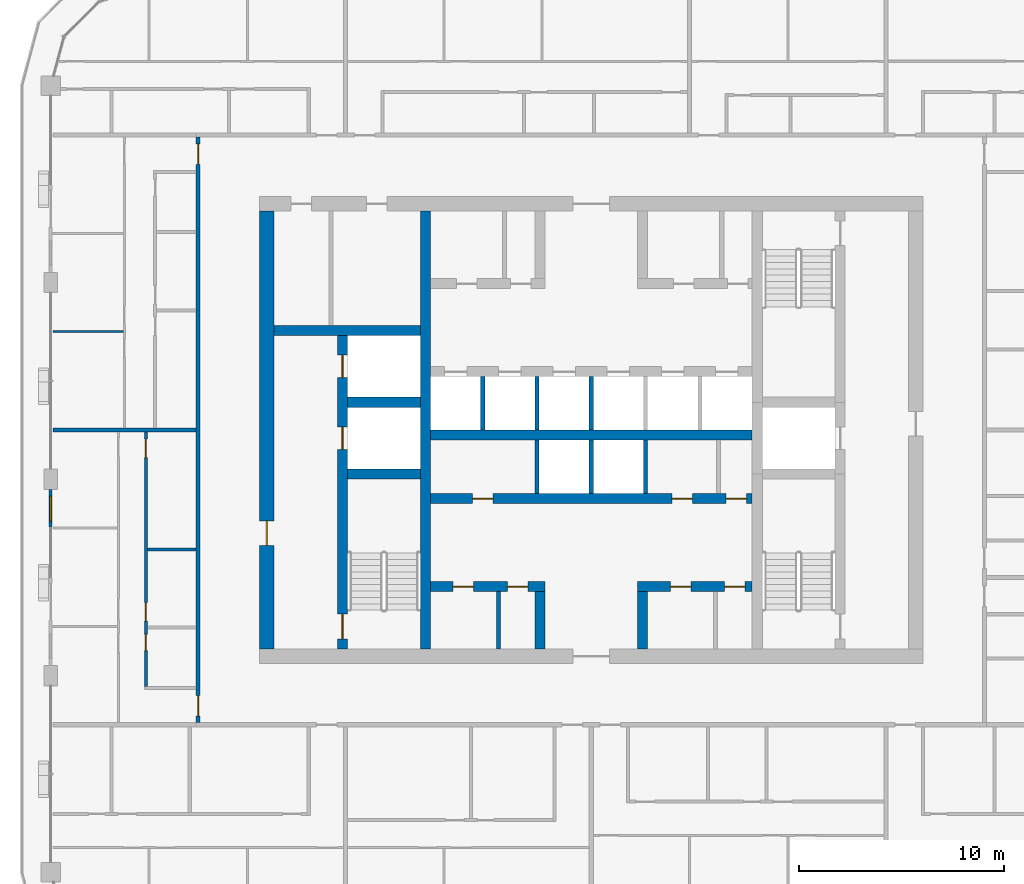
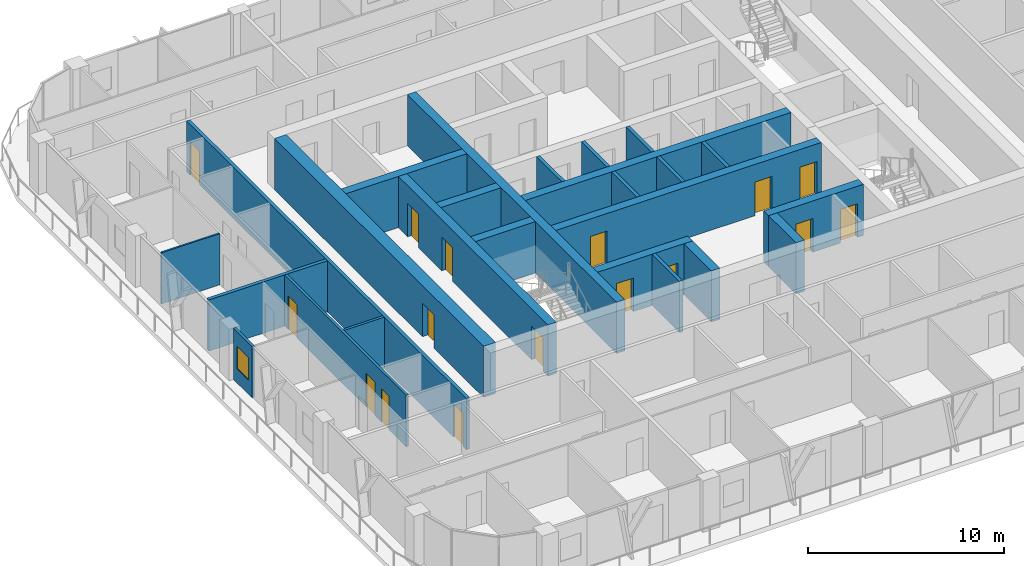
# One storey, part 10 of 22: 25 walls, 16 doors, 1 window, 17 openings.
"""IFC4 building model written with IfcOpenShell, lengths in metres."""

from ifc_helpers import new_model, si_unit, direction, frame, frame_2d, origin, place, context, subcontext, project, spatial, rectangle, extrude, material, layer, layer_set, type_object, element, fill, save


model = new_model("IFC4")

# Units and contexts
model_context = context("Model", 3, precision=1e-05, world=origin(), true_north=direction((0.0, 1.0)))
body_context = subcontext(model_context, "Body", "Model", "MODEL_VIEW")
ifc_project = project(units=[si_unit("LENGTHUNIT", "METRE"), si_unit("AREAUNIT", "SQUARE_METRE"), si_unit("VOLUMEUNIT", "CUBIC_METRE"), si_unit("PLANEANGLEUNIT", "RADIAN"), si_unit("MASSUNIT", "GRAM", prefix="KILO")], contexts=[model_context])

# Site, building, storey
site_placement = place(None, origin())
site = spatial("IfcSite", under=ifc_project, at=site_placement, CompositionType="ELEMENT")
building_placement = place(site_placement, origin())
building = spatial("IfcBuilding", under=site, at=building_placement, Name="Madar Terraces", CompositionType="ELEMENT")
storey_placement = place(building_placement, frame((0.0, 0.0, 192.89990234375)))
storey = spatial("IfcBuildingStorey", under=building, at=storey_placement, Name="L50", CompositionType="ELEMENT", Elevation=192.89990234375)

# Wall, openings, doors
ifc_material_1 = material(Name="Concrete C60/75", Category="concrete")
ifc_layer_1 = layer(ifc_material_1, 0.5)
ifc_layer_set_1 = layer_set([ifc_layer_1], Name="Concrete C60/75 (CIW4 RC wall 500)")
wall_type_1 = type_object("IfcWallType", Name="CIW4 RC wall 500", PredefinedType="SHEAR", material=ifc_layer_set_1)
wall_1_placement = place(storey_placement, frame((19.050048828125, 15.699951171875, 0.0), z_axis=(0.0, 0.0, 1.0), x_axis=(0.0, 1.0, 0.0)))
wall_1 = element("IfcWall", 1, at=wall_1_placement, inside=storey, type_object=wall_type_1, Name="CORE SHAFT WALL", PredefinedType="SHEAR", context=body_context, shape_type="SweptSolid", body=[
    extrude(rectangle(XDim=15.300048828125, YDim=0.5, at=frame_2d((7.64990234375, 0.0))), origin(), (0.0, 0.0, 1.0), 3.2001953125),
])
opening_1_placement = place(wall_1_placement, frame((9.75, 0.0, 0.0)))
opening_1 = element("IfcOpeningElement", 2, at=opening_1_placement, cuts=wall_1, Name="Opening LD", PredefinedType="OPENING", context=body_context, shape_type="SweptSolid", body=[
    extrude(rectangle(XDim=1.10009765625, YDim=2.10009765625, at=frame_2d((0.550048828125, 1.050048828125))), frame((0.0, 0.260009765625, 0.0), z_axis=(0.0, -1.0, 0.0), x_axis=(1.0, 0.0, 0.0)), (0.0, 0.0, 1.0), 0.52001953125),
])
opening_2_placement = place(wall_1_placement, frame((13.25, 0.0, 0.0)))
opening_2 = element("IfcOpeningElement", 3, at=opening_2_placement, cuts=wall_1, Name="Opening LD", PredefinedType="OPENING", context=body_context, shape_type="SweptSolid", body=[
    extrude(rectangle(XDim=1.10009765625, YDim=2.10009765625, at=frame_2d((0.550048828125, 1.050048828125))), frame((0.0, 0.260009765625, 0.0), z_axis=(0.0, -1.0, 0.0), x_axis=(1.0, 0.0, 0.0)), (0.0, 0.0, 1.0), 0.52001953125),
])
opening_3_placement = place(wall_1_placement, frame((0.5, 0.0, 0.0)))
opening_3 = element("IfcOpeningElement", 4, at=opening_3_placement, cuts=wall_1, Name="Opening SD1", PredefinedType="OPENING", context=body_context, shape_type="SweptSolid", body=[
    extrude(rectangle(XDim=1.199951171875, YDim=2.10009765625, at=frame_2d((0.60009765625, 1.050048828125))), frame((0.0, 0.260009765625, 0.0), z_axis=(0.0, -1.0, 0.0), x_axis=(1.0, 0.0, 0.0)), (0.0, 0.0, 1.0), 0.52001953125),
])
ifc_material_2 = material(Name="Stainless steel panel", Category="steel")
door_type_1 = type_object("IfcDoorType", Name="Lift landing door 1100 x 2100", OperationType="DOUBLE_DOOR_SLIDING", PredefinedType="DOOR", material=ifc_material_2)
door_1_placement = place(opening_1_placement, origin())
door_1 = element("IfcDoor", 5, at=door_1_placement, inside=storey, type_object=door_type_1, Name="LIFT LANDING DOOR", OperationType="DOUBLE_DOOR_SLIDING", OverallHeight=2.10009765625, OverallWidth=1.10009765625, PredefinedType="DOOR", context=body_context, shape_type="SweptSolid", body=[
    extrude(rectangle(XDim=1.10009765625, YDim=2.10009765625, at=frame_2d((0.550048828125, 1.050048828125))), frame((0.0, 0.02490234375, 0.0), z_axis=(0.0, -1.0, 0.0), x_axis=(1.0, 0.0, 0.0)), (0.0, 0.0, 1.0), 0.050048828125),
])
fill(opening_1, door_1)
door_2_placement = place(opening_2_placement, origin())
door_2 = element("IfcDoor", 6, at=door_2_placement, inside=storey, type_object=door_type_1, Name="LIFT LANDING DOOR", OperationType="DOUBLE_DOOR_SLIDING", OverallHeight=2.10009765625, OverallWidth=1.10009765625, PredefinedType="DOOR", context=body_context, shape_type="SweptSolid", body=[
    extrude(rectangle(XDim=1.10009765625, YDim=2.10009765625, at=frame_2d((0.550048828125, 1.050048828125))), frame((0.0, 0.02490234375, 0.0), z_axis=(0.0, -1.0, 0.0), x_axis=(1.0, 0.0, 0.0)), (0.0, 0.0, 1.0), 0.050048828125),
])
fill(opening_2, door_2)
ifc_material_3 = material(Name="Steel door leaf", Category="steel")
door_type_2 = type_object("IfcDoorType", Name="Stair door 1200 x 2100", OperationType="NOTDEFINED", PredefinedType="DOOR", material=ifc_material_3)
door_3_placement = place(opening_3_placement, frame((1.199951171875, 0.0, 0.0), z_axis=(0.0, 0.0, 1.0), x_axis=(-1.0, 0.0, 0.0)))
door_3 = element("IfcDoor", 7, at=door_3_placement, inside=storey, type_object=door_type_2, Name="STAIR DOOR", OperationType="SINGLE_SWING_RIGHT", OverallHeight=2.10009765625, OverallWidth=1.199951171875, PredefinedType="DOOR", context=body_context, shape_type="SweptSolid", body=[
    extrude(rectangle(XDim=1.199951171875, YDim=2.10009765625, at=frame_2d((0.60009765625, 1.050048828125))), frame((0.0, 0.02490234375, 0.0), z_axis=(0.0, -1.0, 0.0), x_axis=(1.0, 0.0, 0.0)), (0.0, 0.0, 1.0), 0.050048828125),
])
fill(opening_3, door_3)

# Walls
wall_2_placement = place(storey_placement, frame((23.10009765625, 15.699951171875, 0.0), z_axis=(0.0, 0.0, 1.0), x_axis=(0.0, 1.0, 0.0)))
element("IfcWall", 8, at=wall_2_placement, inside=storey, type_object=wall_type_1, Name="CORE SHAFT WALL", PredefinedType="SHEAR", context=body_context, shape_type="SweptSolid", body=[
    extrude(rectangle(XDim=21.400146484375, YDim=0.5, at=frame_2d((10.7001953125, 0.0))), origin(), (0.0, 0.0, 1.0), 3.2001953125),
])
for number, where, z_axis, x_axis, name in (
    (9, (19.300048828125, 24.25, 0.0), (0.0, 0.0, 1.0), (1.0, 0.0, 0.0), "CORE SHAFT WALL"),
    (10, (19.300048828125, 27.75, 0.0), (0.0, 0.0, 1.0), (1.0, 0.0, 0.0), "CORE SHAFT WALL"),
):
    element("IfcWall", number, at=place(storey_placement, frame(where, z_axis=z_axis, x_axis=x_axis)), inside=storey, type_object=wall_type_1, Name=name, PredefinedType="SHEAR", context=body_context, shape_type="SweptSolid", body=[
        extrude(rectangle(XDim=3.550048828125, YDim=0.5, at=frame_2d((1.77490234375, 0.0))), origin(), (0.0, 0.0, 1.0), 3.2001953125),
    ])
wall_3_placement = place(storey_placement, frame((15.699951171875, 31.25, 0.0), z_axis=(0.0, 0.0, 1.0), x_axis=(1.0, 0.0, 0.0)))
element("IfcWall", 11, at=wall_3_placement, inside=storey, type_object=wall_type_1, Name="CORE SHAFT WALL", PredefinedType="SHEAR", context=body_context, shape_type="SweptSolid", body=[
    extrude(rectangle(XDim=7.150146484375, YDim=0.5, at=frame_2d((3.5751953125, 0.0))), origin(), (0.0, 0.0, 1.0), 3.2001953125),
])

# Wall, openings, doors
wall_4_placement = place(storey_placement, frame((23.35009765625, 18.75, 0.0), z_axis=(0.0, 0.0, 1.0), x_axis=(1.0, 0.0, 0.0)))
wall_4 = element("IfcWall", 12, at=wall_4_placement, inside=storey, type_object=wall_type_1, Name="CORE SHAFT WALL", PredefinedType="SHEAR", context=body_context, shape_type="SweptSolid", body=[
    extrude(rectangle(XDim=5.599853515625, YDim=0.5, at=frame_2d((2.7998046875, 0.0))), origin(), (0.0, 0.0, 1.0), 3.2001953125),
])
opening_4_placement = place(wall_4_placement, frame((1.107421875, 0.0, 0.0)))
opening_4 = element("IfcOpeningElement", 13, at=opening_4_placement, cuts=wall_4, Name="Opening KD2", PredefinedType="OPENING", context=body_context, shape_type="SweptSolid", body=[
    extrude(rectangle(XDim=1.0, YDim=2.10009765625, at=frame_2d((0.5, 1.050048828125))), frame((0.0, 0.260009765625, 0.0), z_axis=(0.0, -1.0, 0.0), x_axis=(1.0, 0.0, 0.0)), (0.0, 0.0, 1.0), 0.52001953125),
])
opening_5_placement = place(wall_4_placement, frame((3.757568359375, 0.0, 0.0)))
opening_5 = element("IfcOpeningElement", 14, at=opening_5_placement, cuts=wall_4, Name="Opening KD2", PredefinedType="OPENING", context=body_context, shape_type="SweptSolid", body=[
    extrude(rectangle(XDim=1.0, YDim=2.10009765625, at=frame_2d((0.5, 1.050048828125))), frame((0.0, 0.260009765625, 0.0), z_axis=(0.0, -1.0, 0.0), x_axis=(1.0, 0.0, 0.0)), (0.0, 0.0, 1.0), 0.52001953125),
])
ifc_material_4 = material(Name="Steel door leaf", Category="steel")
door_type_3 = type_object("IfcDoorType", Name="Service room door 1000 x 2100", OperationType="NOTDEFINED", PredefinedType="DOOR", material=ifc_material_4)
door_4_placement = place(opening_4_placement, origin())
door_4 = element("IfcDoor", 15, at=door_4_placement, inside=storey, type_object=door_type_3, Name="SERVICE ROOM DOOR", OperationType="SINGLE_SWING_RIGHT", OverallHeight=2.10009765625, OverallWidth=1.0, PredefinedType="DOOR", context=body_context, shape_type="SweptSolid", body=[
    extrude(rectangle(XDim=1.0, YDim=2.10009765625, at=frame_2d((0.5, 1.050048828125))), frame((0.0, 0.02490234375, 0.0), z_axis=(0.0, -1.0, 0.0), x_axis=(1.0, 0.0, 0.0)), (0.0, 0.0, 1.0), 0.050048828125),
])
fill(opening_4, door_4)
door_5_placement = place(opening_5_placement, origin())
door_5 = element("IfcDoor", 16, at=door_5_placement, inside=storey, type_object=door_type_3, Name="SERVICE ROOM DOOR", OperationType="SINGLE_SWING_LEFT", OverallHeight=2.10009765625, OverallWidth=1.0, PredefinedType="DOOR", context=body_context, shape_type="SweptSolid", body=[
    extrude(rectangle(XDim=1.0, YDim=2.10009765625, at=frame_2d((0.5, 1.050048828125))), frame((0.0, 0.02490234375, 0.0), z_axis=(0.0, -1.0, 0.0), x_axis=(1.0, 0.0, 0.0)), (0.0, 0.0, 1.0), 0.050048828125),
])
fill(opening_5, door_5)

wall_5_placement = place(storey_placement, frame((33.449951171875, 18.75, 0.0), z_axis=(0.0, 0.0, 1.0), x_axis=(1.0, 0.0, 0.0)))
wall_5 = element("IfcWall", 17, at=wall_5_placement, inside=storey, type_object=wall_type_1, Name="CORE SHAFT WALL", PredefinedType="SHEAR", context=body_context, shape_type="SweptSolid", body=[
    extrude(rectangle(XDim=5.60009765625, YDim=0.5, at=frame_2d((2.800048828125, 0.0))), origin(), (0.0, 0.0, 1.0), 3.2001953125),
])
opening_6_placement = place(wall_5_placement, frame((1.607421875, 0.0, 0.0)))
opening_6 = element("IfcOpeningElement", 18, at=opening_6_placement, cuts=wall_5, Name="Opening KD2", PredefinedType="OPENING", context=body_context, shape_type="SweptSolid", body=[
    extrude(rectangle(XDim=1.0, YDim=2.10009765625, at=frame_2d((0.5, 1.050048828125))), frame((0.0, 0.260009765625, 0.0), z_axis=(0.0, -1.0, 0.0), x_axis=(1.0, 0.0, 0.0)), (0.0, 0.0, 1.0), 0.52001953125),
])
opening_7_placement = place(wall_5_placement, frame((4.257568359375, 0.0, 0.0)))
opening_7 = element("IfcOpeningElement", 19, at=opening_7_placement, cuts=wall_5, Name="Opening KD2", PredefinedType="OPENING", context=body_context, shape_type="SweptSolid", body=[
    extrude(rectangle(XDim=1.0, YDim=2.10009765625, at=frame_2d((0.5, 1.050048828125))), frame((0.0, 0.260009765625, 0.0), z_axis=(0.0, -1.0, 0.0), x_axis=(1.0, 0.0, 0.0)), (0.0, 0.0, 1.0), 0.52001953125),
])
door_6_placement = place(opening_6_placement, origin())
door_6 = element("IfcDoor", 20, at=door_6_placement, inside=storey, type_object=door_type_3, Name="SERVICE ROOM DOOR", OperationType="SINGLE_SWING_RIGHT", OverallHeight=2.10009765625, OverallWidth=1.0, PredefinedType="DOOR", context=body_context, shape_type="SweptSolid", body=[
    extrude(rectangle(XDim=1.0, YDim=2.10009765625, at=frame_2d((0.5, 1.050048828125))), frame((0.0, 0.02490234375, 0.0), z_axis=(0.0, -1.0, 0.0), x_axis=(1.0, 0.0, 0.0)), (0.0, 0.0, 1.0), 0.050048828125),
])
fill(opening_6, door_6)
door_7_placement = place(opening_7_placement, origin())
door_7 = element("IfcDoor", 21, at=door_7_placement, inside=storey, type_object=door_type_3, Name="SERVICE ROOM DOOR", OperationType="SINGLE_SWING_LEFT", OverallHeight=2.10009765625, OverallWidth=1.0, PredefinedType="DOOR", context=body_context, shape_type="SweptSolid", body=[
    extrude(rectangle(XDim=1.0, YDim=2.10009765625, at=frame_2d((0.5, 1.050048828125))), frame((0.0, 0.02490234375, 0.0), z_axis=(0.0, -1.0, 0.0), x_axis=(1.0, 0.0, 0.0)), (0.0, 0.0, 1.0), 0.050048828125),
])
fill(opening_7, door_7)

wall_6_placement = place(storey_placement, frame((23.35009765625, 23.050048828125, 0.0), z_axis=(0.0, 0.0, 1.0), x_axis=(1.0, 0.0, 0.0)))
wall_6 = element("IfcWall", 22, at=wall_6_placement, inside=storey, type_object=wall_type_1, Name="CORE SHAFT WALL", PredefinedType="SHEAR", context=body_context, shape_type="SweptSolid", body=[
    extrude(rectangle(XDim=15.699951171875, YDim=0.5, at=frame_2d((7.85009765625, 0.0))), origin(), (0.0, 0.0, 1.0), 3.2001953125),
])
opening_8_placement = place(wall_6_placement, frame((2.050048828125, 0.0, 0.0)))
opening_8 = element("IfcOpeningElement", 23, at=opening_8_placement, cuts=wall_6, Name="Opening KD2", PredefinedType="OPENING", context=body_context, shape_type="SweptSolid", body=[
    extrude(rectangle(XDim=1.0, YDim=2.10009765625, at=frame_2d((0.5, 1.050048828125))), frame((0.0, 0.260009765625, 0.0), z_axis=(0.0, -1.0, 0.0), x_axis=(1.0, 0.0, 0.0)), (0.0, 0.0, 1.0), 0.52001953125),
])
opening_9_placement = place(wall_6_placement, frame((11.783935546875, 0.0, 0.0)))
opening_9 = element("IfcOpeningElement", 24, at=opening_9_placement, cuts=wall_6, Name="Opening KD2", PredefinedType="OPENING", context=body_context, shape_type="SweptSolid", body=[
    extrude(rectangle(XDim=1.0, YDim=2.10009765625, at=frame_2d((0.5, 1.050048828125))), frame((0.0, 0.260009765625, 0.0), z_axis=(0.0, -1.0, 0.0), x_axis=(1.0, 0.0, 0.0)), (0.0, 0.0, 1.0), 0.52001953125),
])
opening_10_placement = place(wall_6_placement, frame((14.43408203125, 0.0, 0.0)))
opening_10 = element("IfcOpeningElement", 25, at=opening_10_placement, cuts=wall_6, Name="Opening KD2", PredefinedType="OPENING", context=body_context, shape_type="SweptSolid", body=[
    extrude(rectangle(XDim=1.0, YDim=2.10009765625, at=frame_2d((0.5, 1.050048828125))), frame((0.0, 0.260009765625, 0.0), z_axis=(0.0, -1.0, 0.0), x_axis=(1.0, 0.0, 0.0)), (0.0, 0.0, 1.0), 0.52001953125),
])
door_8_placement = place(opening_8_placement, frame((1.0, 0.0, 0.0), z_axis=(0.0, 0.0, 1.0), x_axis=(-1.0, 0.0, 0.0)))
door_8 = element("IfcDoor", 26, at=door_8_placement, inside=storey, type_object=door_type_3, Name="SERVICE ROOM DOOR", OperationType="SINGLE_SWING_LEFT", OverallHeight=2.10009765625, OverallWidth=1.0, PredefinedType="DOOR", context=body_context, shape_type="SweptSolid", body=[
    extrude(rectangle(XDim=1.0, YDim=2.10009765625, at=frame_2d((0.5, 1.050048828125))), frame((0.0, 0.02490234375, 0.0), z_axis=(0.0, -1.0, 0.0), x_axis=(1.0, 0.0, 0.0)), (0.0, 0.0, 1.0), 0.050048828125),
])
fill(opening_8, door_8)
door_9_placement = place(opening_9_placement, frame((1.0, 0.0, 0.0), z_axis=(0.0, 0.0, 1.0), x_axis=(-1.0, 0.0, 0.0)))
door_9 = element("IfcDoor", 27, at=door_9_placement, inside=storey, type_object=door_type_3, Name="SERVICE ROOM DOOR", OperationType="SINGLE_SWING_RIGHT", OverallHeight=2.10009765625, OverallWidth=1.0, PredefinedType="DOOR", context=body_context, shape_type="SweptSolid", body=[
    extrude(rectangle(XDim=1.0, YDim=2.10009765625, at=frame_2d((0.5, 1.050048828125))), frame((0.0, 0.02490234375, 0.0), z_axis=(0.0, -1.0, 0.0), x_axis=(1.0, 0.0, 0.0)), (0.0, 0.0, 1.0), 0.050048828125),
])
fill(opening_9, door_9)
door_10_placement = place(opening_10_placement, frame((1.0, 0.0, 0.0), z_axis=(0.0, 0.0, 1.0), x_axis=(-1.0, 0.0, 0.0)))
door_10 = element("IfcDoor", 28, at=door_10_placement, inside=storey, type_object=door_type_3, Name="SERVICE ROOM DOOR", OperationType="SINGLE_SWING_LEFT", OverallHeight=2.10009765625, OverallWidth=1.0, PredefinedType="DOOR", context=body_context, shape_type="SweptSolid", body=[
    extrude(rectangle(XDim=1.0, YDim=2.10009765625, at=frame_2d((0.5, 1.050048828125))), frame((0.0, 0.02490234375, 0.0), z_axis=(0.0, -1.0, 0.0), x_axis=(1.0, 0.0, 0.0)), (0.0, 0.0, 1.0), 0.050048828125),
])
fill(opening_10, door_10)

# Walls
wall_7_placement = place(storey_placement, frame((23.35009765625, 26.14990234375, 0.0), z_axis=(0.0, 0.0, 1.0), x_axis=(1.0, 0.0, 0.0)))
element("IfcWall", 29, at=wall_7_placement, inside=storey, type_object=wall_type_1, Name="CORE SHAFT WALL", PredefinedType="SHEAR", context=body_context, shape_type="SweptSolid", body=[
    extrude(rectangle(XDim=15.699951171875, YDim=0.5, at=frame_2d((7.85009765625, 0.0))), origin(), (0.0, 0.0, 1.0), 3.2001953125),
])
for number, where, z_axis, x_axis, name in (
    (30, (28.699951171875, 15.699951171875, 0.0), (0.0, 0.0, 1.0), (0.0, 1.0, 0.0), "CORE SHAFT WALL"),
    (31, (33.699951171875, 15.699951171875, 0.0), (0.0, 0.0, 1.0), (0.0, 1.0, 0.0), "CORE SHAFT WALL"),
):
    element("IfcWall", number, at=place(storey_placement, frame(where, z_axis=z_axis, x_axis=x_axis)), inside=storey, type_object=wall_type_1, Name=name, PredefinedType="SHEAR", context=body_context, shape_type="SweptSolid", body=[
        extrude(rectangle(XDim=2.800048828125, YDim=0.5, at=frame_2d((1.39990234375, 0.0))), origin(), (0.0, 0.0, 1.0), 3.2001953125),
    ])

# Wall, opening, door
ifc_material_5 = material(Name="Concrete C60/75", Category="concrete")
ifc_layer_2 = layer(ifc_material_5, 0.699951171875)
ifc_layer_set_2 = layer_set([ifc_layer_2], Name="Concrete C60/75 (CRW4 RC wall 700)")
wall_type_2 = type_object("IfcWallType", Name="CRW4 RC wall 700", PredefinedType="SHEAR", material=ifc_layer_set_2)
wall_8_placement = place(storey_placement, frame((15.35009765625, 15.699951171875, 0.0), z_axis=(0.0, 0.0, 1.0), x_axis=(0.0, 1.0, 0.0)))
wall_8 = element("IfcWall", 32, at=wall_8_placement, inside=storey, type_object=wall_type_2, Name="CORE OUTER WALL", PredefinedType="SHEAR", context=body_context, shape_type="SweptSolid", body=[
    extrude(rectangle(XDim=21.400146484375, YDim=0.699951171875, at=frame_2d((10.7001953125, 0.0))), origin(), (0.0, 0.0, 1.0), 3.2001953125),
])
opening_11_placement = place(wall_8_placement, frame((5.06005859375, 0.0, 0.0)))
opening_11 = element("IfcOpeningElement", 33, at=opening_11_placement, cuts=wall_8, Name="Opening SD1", PredefinedType="OPENING", context=body_context, shape_type="SweptSolid", body=[
    extrude(rectangle(XDim=1.199951171875, YDim=2.10009765625, at=frame_2d((0.60009765625, 1.050048828125))), frame((0.0, 0.35986328125, 0.0), z_axis=(0.0, -1.0, 0.0), x_axis=(1.0, 0.0, 0.0)), (0.0, 0.0, 1.0), 0.719970703125),
])
door_11_placement = place(opening_11_placement, frame((1.199951171875, 0.0, 0.0), z_axis=(0.0, 0.0, 1.0), x_axis=(-1.0, 0.0, 0.0)))
door_11 = element("IfcDoor", 34, at=door_11_placement, inside=storey, type_object=door_type_2, Name="STAIR DOOR", OperationType="SINGLE_SWING_LEFT", OverallHeight=2.10009765625, OverallWidth=1.199951171875, PredefinedType="DOOR", context=body_context, shape_type="SweptSolid", body=[
    extrude(rectangle(XDim=1.199951171875, YDim=2.10009765625, at=frame_2d((0.60009765625, 1.050048828125))), frame((0.0, 0.02490234375, 0.0), z_axis=(0.0, -1.0, 0.0), x_axis=(1.0, 0.0, 0.0)), (0.0, 0.0, 1.0), 0.050048828125),
])
fill(opening_11, door_11)

# Walls
ifc_material_6 = material(Name="Masonry blockwork", Category="masonry")
ifc_layer_3 = layer(ifc_material_6, 0.199951171875)
ifc_layer_set_3 = layer_set([ifc_layer_3], Name="Core partition 200 blockwork")
wall_type_3 = type_object("IfcWallType", Name="Core partition 200 blockwork", PredefinedType="PARTITIONING", material=ifc_layer_set_3)
wall_9_placement = place(storey_placement, frame((26.6650390625, 15.699951171875, 0.0), z_axis=(0.0, 0.0, 1.0), x_axis=(0.0, 1.0, 0.0)))
element("IfcWall", 35, at=wall_9_placement, inside=storey, type_object=wall_type_3, Name="SERVICE ROOM PARTITION", PredefinedType="PARTITIONING", context=body_context, shape_type="SweptSolid", body=[
    extrude(rectangle(XDim=2.800048828125, YDim=0.199951171875, at=frame_2d((1.39990234375, 0.0))), origin(), (0.0, 0.0, 1.0), 3.2001953125),
])
ifc_material_7 = material(Name="Concrete C40/50", Category="concrete")
ifc_layer_4 = layer(ifc_material_7, 0.199951171875)
ifc_layer_set_4 = layer_set([ifc_layer_4], Name="Core shaft dividing wall 200 C40/50")
wall_type_4 = type_object("IfcWallType", Name="Core shaft dividing wall 200 C40/50", PredefinedType="SOLIDWALL", material=ifc_layer_set_4)
wall_10_placement = place(storey_placement, frame((25.89990234375, 26.39990234375, 0.0), z_axis=(0.0, 0.0, 1.0), x_axis=(0.0, 1.0, 0.0)))
element("IfcWall", 36, at=wall_10_placement, inside=storey, type_object=wall_type_4, Name="SHAFT DIVIDING WALL", PredefinedType="SOLIDWALL", context=body_context, shape_type="SweptSolid", body=[
    extrude(rectangle(XDim=2.60009765625, YDim=0.199951171875, at=frame_2d((1.300048828125, 0.0))), origin(), (0.0, 0.0, 1.0), 3.2001953125),
])
wall_11_placement = place(storey_placement, frame((28.550048828125, 23.300048828125, 0.0), z_axis=(0.0, 0.0, 1.0), x_axis=(0.0, 1.0, 0.0)))
element("IfcWall", 37, at=wall_11_placement, inside=storey, type_object=wall_type_4, Name="SHAFT DIVIDING WALL", PredefinedType="SOLIDWALL", context=body_context, shape_type="SweptSolid", body=[
    extrude(rectangle(XDim=2.599853515625, YDim=0.199951171875, at=frame_2d((1.2998046875, 0.0))), origin(), (0.0, 0.0, 1.0), 3.2001953125),
])
wall_12_placement = place(storey_placement, frame((28.550048828125, 26.39990234375, 0.0), z_axis=(0.0, 0.0, 1.0), x_axis=(0.0, 1.0, 0.0)))
element("IfcWall", 38, at=wall_12_placement, inside=storey, type_object=wall_type_4, Name="SHAFT DIVIDING WALL", PredefinedType="SOLIDWALL", context=body_context, shape_type="SweptSolid", body=[
    extrude(rectangle(XDim=2.60009765625, YDim=0.199951171875, at=frame_2d((1.300048828125, 0.0))), origin(), (0.0, 0.0, 1.0), 3.2001953125),
])
wall_13_placement = place(storey_placement, frame((31.199951171875, 23.300048828125, 0.0), z_axis=(0.0, 0.0, 1.0), x_axis=(0.0, 1.0, 0.0)))
element("IfcWall", 39, at=wall_13_placement, inside=storey, type_object=wall_type_4, Name="SHAFT DIVIDING WALL", PredefinedType="SOLIDWALL", context=body_context, shape_type="SweptSolid", body=[
    extrude(rectangle(XDim=2.599853515625, YDim=0.199951171875, at=frame_2d((1.2998046875, 0.0))), origin(), (0.0, 0.0, 1.0), 3.2001953125),
])
wall_14_placement = place(storey_placement, frame((31.199951171875, 26.39990234375, 0.0), z_axis=(0.0, 0.0, 1.0), x_axis=(0.0, 1.0, 0.0)))
element("IfcWall", 40, at=wall_14_placement, inside=storey, type_object=wall_type_4, Name="SHAFT DIVIDING WALL", PredefinedType="SOLIDWALL", context=body_context, shape_type="SweptSolid", body=[
    extrude(rectangle(XDim=2.60009765625, YDim=0.199951171875, at=frame_2d((1.300048828125, 0.0))), origin(), (0.0, 0.0, 1.0), 3.2001953125),
])
wall_15_placement = place(storey_placement, frame((33.85009765625, 23.300048828125, 0.0), z_axis=(0.0, 0.0, 1.0), x_axis=(0.0, 1.0, 0.0)))
element("IfcWall", 41, at=wall_15_placement, inside=storey, type_object=wall_type_4, Name="SHAFT DIVIDING WALL", PredefinedType="SOLIDWALL", context=body_context, shape_type="SweptSolid", body=[
    extrude(rectangle(XDim=2.599853515625, YDim=0.199951171875, at=frame_2d((1.2998046875, 0.0))), origin(), (0.0, 0.0, 1.0), 3.2001953125),
])

# Wall, opening, window
ifc_material_8 = material(Name="Aluminium composite panel, black, over insulated backing", Category="aluminium")
ifc_layer_5 = layer(ifc_material_8, 0.14990234375)
ifc_layer_set_5 = layer_set([ifc_layer_5], Name="Facade bay panel 150")
wall_type_5 = type_object("IfcWallType", Name="Facade bay panel 150", PredefinedType="SOLIDWALL", material=ifc_layer_set_5)
wall_16_placement = place(storey_placement, frame((4.800048828125, 23.5, 0.0), z_axis=(0.0, 0.0, 1.0), x_axis=(0.0, -1.0, 0.0)))
wall_16 = element("IfcWall", 42, at=wall_16_placement, inside=storey, type_object=wall_type_5, Name="Facade bay panel", PredefinedType="SOLIDWALL", context=body_context, shape_type="SweptSolid", body=[
    extrude(rectangle(XDim=1.89990234375, YDim=0.14990234375, at=frame_2d((0.949951171875, 0.0))), origin(), (0.0, 0.0, 1.0), 3.2001953125),
])
opening_12_placement = place(wall_16_placement, frame((0.35009765625, 0.0, 0.89990234375)))
opening_12 = element("IfcOpeningElement", 43, at=opening_12_placement, cuts=wall_16, Name="Opening W1", PredefinedType="OPENING", context=body_context, shape_type="SweptSolid", body=[
    extrude(rectangle(XDim=1.199951171875, YDim=1.39990234375, at=frame_2d((0.60009765625, 0.699951171875))), frame((0.0, 0.0849609375, 0.0), z_axis=(0.0, -1.0, 0.0), x_axis=(1.0, 0.0, 0.0)), (0.0, 0.0, 1.0), 0.169921875),
])
ifc_material_9 = material(Name="Glass, clear, with black aluminium frame", Category="aluminium")
window_type = type_object("IfcWindowType", Name="Vent window 1200 x 1400", PartitioningType="SINGLE_PANEL", PredefinedType="WINDOW", material=ifc_material_9)
window_placement = place(opening_12_placement, origin())
window = element("IfcWindow", 44, at=window_placement, inside=storey, type_object=window_type, Name="Operable vent window", OverallHeight=1.39990234375, OverallWidth=1.199951171875, PartitioningType="SINGLE_PANEL", PredefinedType="WINDOW", context=body_context, shape_type="SweptSolid", body=[
    extrude(rectangle(XDim=1.199951171875, YDim=1.39990234375, at=frame_2d((0.60009765625, 0.699951171875))), frame((0.0, 0.030029296875, 0.0), z_axis=(0.0, -1.0, 0.0), x_axis=(1.0, 0.0, 0.0)), (0.0, 0.0, 1.0), 0.06005859375),
])
fill(opening_12, window)

# Wall
ifc_material_10 = material(Name="Gypsum board on steel studs", Category="steel")
ifc_layer_6 = layer(ifc_material_10, 0.10009765625)
ifc_layer_set_6 = layer_set([ifc_layer_6], Name="Flat partition 100")
wall_type_6 = type_object("IfcWallType", Name="Flat partition 100", PredefinedType="PARTITIONING", material=ifc_layer_set_6)
wall_17_placement = place(storey_placement, frame((8.35009765625, 31.199951171875, 0.0), z_axis=(0.0, 0.0, 1.0), x_axis=(-1.0, 0.0, 0.0)))
element("IfcWall", 45, at=wall_17_placement, inside=storey, type_object=wall_type_6, Name="Flat partition 100", PredefinedType="PARTITIONING", context=body_context, shape_type="SweptSolid", body=[
    extrude(rectangle(XDim=3.4501953125, YDim=0.10009765625, at=frame_2d((1.72509765625, 0.0))), origin(), (0.0, 0.0, 1.0), 3.2001953125),
])

# Wall, openings, doors
ifc_material_11 = material(Name="Lightweight blockwork", Category="masonry")
ifc_layer_7 = layer(ifc_material_11, 0.199951171875)
ifc_layer_set_7 = layer_set([ifc_layer_7], Name="Flat party and entrance wall 200")
wall_type_7 = type_object("IfcWallType", Name="Flat party and entrance wall 200", PredefinedType="PARTITIONING", material=ifc_layer_set_7)
wall_18_placement = place(storey_placement, frame((12.0, 12.10009765625, 0.0), z_axis=(0.0, 0.0, 1.0), x_axis=(0.0, 1.0, 0.0)))
wall_18 = element("IfcWall", 46, at=wall_18_placement, inside=storey, type_object=wall_type_7, Name="Flat party and entrance wall 200", PredefinedType="PARTITIONING", context=body_context, shape_type="SweptSolid", body=[
    extrude(rectangle(XDim=28.599853515625, YDim=0.199951171875, at=frame_2d((14.2998046875, 0.0))), origin(), (0.0, 0.0, 1.0), 3.2001953125),
])
opening_13_placement = place(wall_18_placement, frame((27.27490234375, 0.0, 0.0)))
opening_13 = element("IfcOpeningElement", 47, at=opening_13_placement, cuts=wall_18, Name="Opening D1", PredefinedType="OPENING", context=body_context, shape_type="SweptSolid", body=[
    extrude(rectangle(XDim=1.0, YDim=2.10009765625, at=frame_2d((0.5, 1.050048828125))), frame((0.0, 0.10986328125, 0.0), z_axis=(0.0, -1.0, 0.0), x_axis=(1.0, 0.0, 0.0)), (0.0, 0.0, 1.0), 0.219970703125),
])
opening_14_placement = place(wall_18_placement, frame((0.324951171875, 0.0, 0.0)))
opening_14 = element("IfcOpeningElement", 48, at=opening_14_placement, cuts=wall_18, Name="Opening D1", PredefinedType="OPENING", context=body_context, shape_type="SweptSolid", body=[
    extrude(rectangle(XDim=1.0, YDim=2.10009765625, at=frame_2d((0.5, 1.050048828125))), frame((0.0, 0.10986328125, 0.0), z_axis=(0.0, -1.0, 0.0), x_axis=(1.0, 0.0, 0.0)), (0.0, 0.0, 1.0), 0.219970703125),
])
ifc_material_12 = material(Name="Timber fire door leaf", Category="wood")
door_type_4 = type_object("IfcDoorType", Name="Flat entrance door 1000 FD30S", OperationType="NOTDEFINED", PredefinedType="DOOR", material=ifc_material_12)
door_12_placement = place(opening_13_placement, origin())
door_12 = element("IfcDoor", 49, at=door_12_placement, inside=storey, type_object=door_type_4, Name="Flat entrance door 1000 FD30S", OperationType="SINGLE_SWING_RIGHT", OverallHeight=2.10009765625, OverallWidth=1.0, PredefinedType="DOOR", context=body_context, shape_type="SweptSolid", body=[
    extrude(rectangle(XDim=1.0, YDim=2.10009765625, at=frame_2d((0.5, 1.050048828125))), frame((0.0, 0.02490234375, 0.0), z_axis=(0.0, -1.0, 0.0), x_axis=(1.0, 0.0, 0.0)), (0.0, 0.0, 1.0), 0.050048828125),
])
fill(opening_13, door_12)
door_13_placement = place(opening_14_placement, origin())
door_13 = element("IfcDoor", 50, at=door_13_placement, inside=storey, type_object=door_type_4, Name="Flat entrance door 1000 FD30S", OperationType="SINGLE_SWING_LEFT", OverallHeight=2.10009765625, OverallWidth=1.0, PredefinedType="DOOR", context=body_context, shape_type="SweptSolid", body=[
    extrude(rectangle(XDim=1.0, YDim=2.10009765625, at=frame_2d((0.5, 1.050048828125))), frame((0.0, 0.02490234375, 0.0), z_axis=(0.0, -1.0, 0.0), x_axis=(1.0, 0.0, 0.0)), (0.0, 0.0, 1.0), 0.050048828125),
])
fill(opening_14, door_13)

# Walls
wall_19_placement = place(storey_placement, frame((4.89990234375, 26.39990234375, 0.0), z_axis=(0.0, 0.0, 1.0), x_axis=(1.0, 0.0, 0.0)))
element("IfcWall", 51, at=wall_19_placement, inside=storey, type_object=wall_type_7, Name="Flat party and entrance wall 200", PredefinedType="PARTITIONING", context=body_context, shape_type="SweptSolid", body=[
    extrude(rectangle(XDim=7.0, YDim=0.199951171875, at=frame_2d((3.5, 0.0))), origin(), (0.0, 0.0, 1.0), 3.2001953125),
])
ifc_material_13 = material(Name="Lightweight blockwork", Category="masonry")
ifc_layer_8 = layer(ifc_material_13, 0.14990234375)
ifc_layer_set_8 = layer_set([ifc_layer_8], Name="Flat wet-room partition 150")
wall_type_8 = type_object("IfcWallType", Name="Flat wet-room partition 150", PredefinedType="PARTITIONING", material=ifc_layer_set_8)
wall_20_placement = place(storey_placement, frame((11.89990234375, 20.5654296875, 0.0), z_axis=(0.0, 0.0, 1.0), x_axis=(-1.0, 0.0, 0.0)))
element("IfcWall", 52, at=wall_20_placement, inside=storey, type_object=wall_type_8, Name="Flat wet-room partition 150", PredefinedType="PARTITIONING", context=body_context, shape_type="SweptSolid", body=[
    extrude(rectangle(XDim=2.375, YDim=0.14990234375, at=frame_2d((1.1875, 0.0))), origin(), (0.0, 0.0, 1.0), 3.2001953125),
])

# Wall, openings, doors
wall_21_placement = place(storey_placement, frame((9.449951171875, 26.300048828125, 0.0), z_axis=(0.0, 0.0, 1.0), x_axis=(0.0, -1.0, 0.0)))
wall_21 = element("IfcWall", 53, at=wall_21_placement, inside=storey, type_object=wall_type_8, Name="Flat wet-room partition 150", PredefinedType="PARTITIONING", context=body_context, shape_type="SweptSolid", body=[
    extrude(rectangle(XDim=12.425048828125, YDim=0.14990234375, at=frame_2d((6.21240234375, 0.0))), origin(), (0.0, 0.0, 1.0), 3.2001953125),
])
opening_15_placement = place(wall_21_placement, frame((9.8828125, 0.0, 0.0)))
opening_15 = element("IfcOpeningElement", 54, at=opening_15_placement, cuts=wall_21, Name="Opening D4", PredefinedType="OPENING", context=body_context, shape_type="SweptSolid", body=[
    extrude(rectangle(XDim=0.800048828125, YDim=2.10009765625, at=frame_2d((0.39990234375, 1.050048828125))), frame((0.0, 0.0849609375, 0.0), z_axis=(0.0, -1.0, 0.0), x_axis=(1.0, 0.0, 0.0)), (0.0, 0.0, 1.0), 0.169921875),
])
opening_16_placement = place(wall_21_placement, frame((8.332763671875, 0.0, 0.0)))
opening_16 = element("IfcOpeningElement", 55, at=opening_16_placement, cuts=wall_21, Name="Opening D5", PredefinedType="OPENING", context=body_context, shape_type="SweptSolid", body=[
    extrude(rectangle(XDim=0.89990234375, YDim=2.10009765625, at=frame_2d((0.449951171875, 1.050048828125))), frame((0.0, 0.0849609375, 0.0), z_axis=(0.0, -1.0, 0.0), x_axis=(1.0, 0.0, 0.0)), (0.0, 0.0, 1.0), 0.169921875),
])
opening_17_placement = place(wall_21_placement, frame((0.35009765625, 0.0, 0.0)))
opening_17 = element("IfcOpeningElement", 56, at=opening_17_placement, cuts=wall_21, Name="Opening D2", PredefinedType="OPENING", context=body_context, shape_type="SweptSolid", body=[
    extrude(rectangle(XDim=0.89990234375, YDim=2.10009765625, at=frame_2d((0.449951171875, 1.050048828125))), frame((0.0, 0.0849609375, 0.0), z_axis=(0.0, -1.0, 0.0), x_axis=(1.0, 0.0, 0.0)), (0.0, 0.0, 1.0), 0.169921875),
])
ifc_material_14 = material(Name="Timber door leaf", Category="wood")
door_type_5 = type_object("IfcDoorType", Name="Flat accessible bathroom door 900", OperationType="NOTDEFINED", PredefinedType="DOOR", material=ifc_material_14)
door_14_placement = place(opening_16_placement, origin())
door_14 = element("IfcDoor", 57, at=door_14_placement, inside=storey, type_object=door_type_5, Name="Flat accessible bathroom door 900", OperationType="SINGLE_SWING_RIGHT", OverallHeight=2.10009765625, OverallWidth=0.89990234375, PredefinedType="DOOR", context=body_context, shape_type="SweptSolid", body=[
    extrude(rectangle(XDim=0.89990234375, YDim=2.10009765625, at=frame_2d((0.449951171875, 1.050048828125))), frame((0.0, 0.02490234375, 0.0), z_axis=(0.0, -1.0, 0.0), x_axis=(1.0, 0.0, 0.0)), (0.0, 0.0, 1.0), 0.050048828125),
])
fill(opening_16, door_14)
ifc_material_15 = material(Name="Timber door leaf", Category="wood")
door_type_6 = type_object("IfcDoorType", Name="Flat bathroom door 800", OperationType="NOTDEFINED", PredefinedType="DOOR", material=ifc_material_15)
door_15_placement = place(opening_15_placement, origin())
door_15 = element("IfcDoor", 58, at=door_15_placement, inside=storey, type_object=door_type_6, Name="Flat bathroom door 800", OperationType="SINGLE_SWING_LEFT", OverallHeight=2.10009765625, OverallWidth=0.800048828125, PredefinedType="DOOR", context=body_context, shape_type="SweptSolid", body=[
    extrude(rectangle(XDim=0.800048828125, YDim=2.10009765625, at=frame_2d((0.39990234375, 1.050048828125))), frame((0.0, 0.02490234375, 0.0), z_axis=(0.0, -1.0, 0.0), x_axis=(1.0, 0.0, 0.0)), (0.0, 0.0, 1.0), 0.050048828125),
])
fill(opening_15, door_15)
ifc_material_16 = material(Name="Timber door leaf", Category="wood")
door_type_7 = type_object("IfcDoorType", Name="Flat room door 900", OperationType="NOTDEFINED", PredefinedType="DOOR", material=ifc_material_16)
door_16_placement = place(opening_17_placement, origin())
door_16 = element("IfcDoor", 59, at=door_16_placement, inside=storey, type_object=door_type_7, Name="Flat room door 900", OperationType="SINGLE_SWING_LEFT", OverallHeight=2.10009765625, OverallWidth=0.89990234375, PredefinedType="DOOR", context=body_context, shape_type="SweptSolid", body=[
    extrude(rectangle(XDim=0.89990234375, YDim=2.10009765625, at=frame_2d((0.449951171875, 1.050048828125))), frame((0.0, 0.02490234375, 0.0), z_axis=(0.0, -1.0, 0.0), x_axis=(1.0, 0.0, 0.0)), (0.0, 0.0, 1.0), 0.050048828125),
])
fill(opening_17, door_16)

save(model, "model.ifc")
